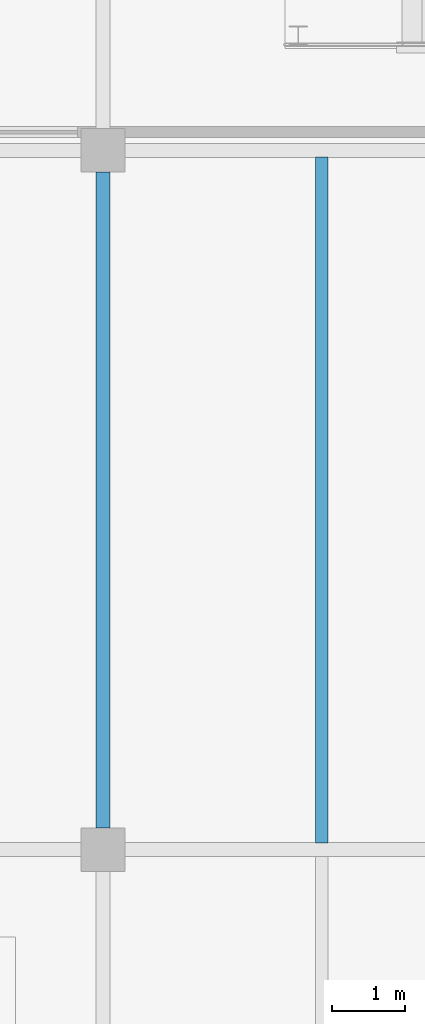
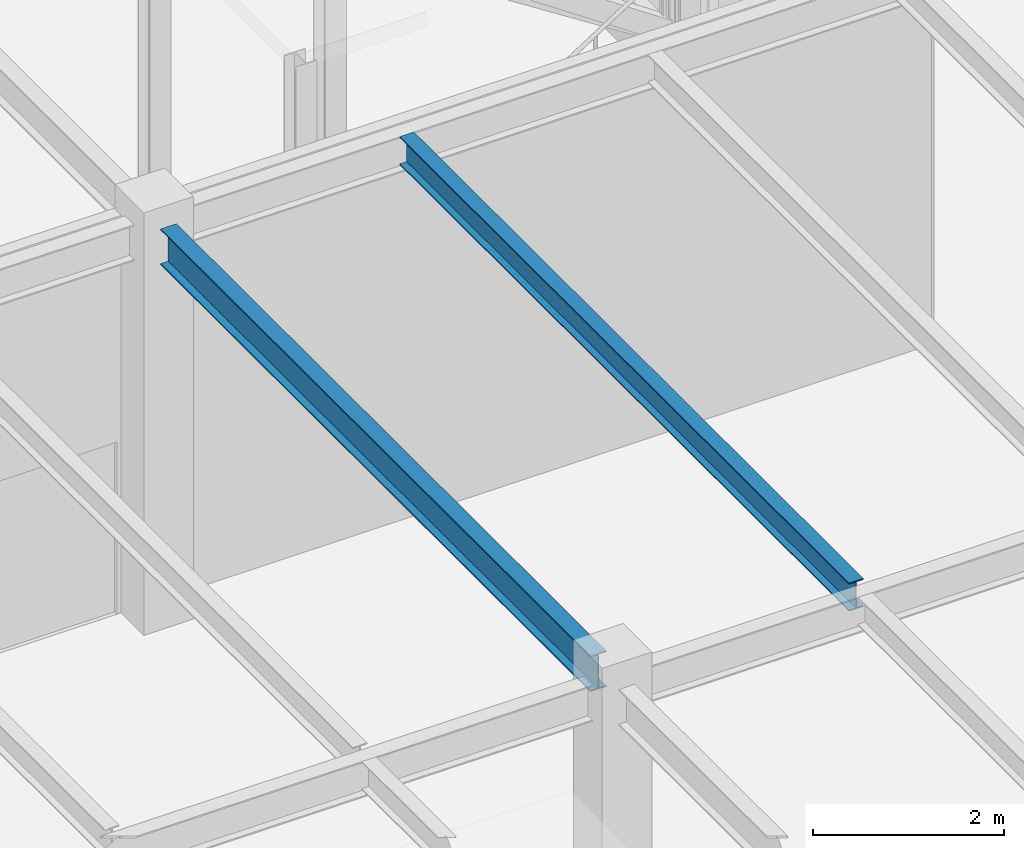
# One storey, part 89 of 188: 2 beams.
"""IFC4 building model written with IfcOpenShell, lengths in metres."""

from ifc_helpers import new_model, si_unit, direction, frame, origin, origin_2d, place, context, subcontext, project, spatial, i_section, extrude, material, material_profile, profile_set, type_object, element, save


model = new_model("IFC4")

# Units and contexts
model_context = context("Model", 3, precision=1e-05, world=origin(), true_north=direction((0.0, 1.0)))
body_context = subcontext(model_context, "Body", "Model", "MODEL_VIEW")
ifc_project = project(units=[si_unit("LENGTHUNIT", "METRE"), si_unit("AREAUNIT", "SQUARE_METRE"), si_unit("VOLUMEUNIT", "CUBIC_METRE"), si_unit("PLANEANGLEUNIT", "RADIAN"), si_unit("MASSUNIT", "GRAM", prefix="KILO")], contexts=[model_context])

# Site, building, storey
site_placement = place(None, origin())
site = spatial("IfcSite", under=ifc_project, at=site_placement, CompositionType="ELEMENT")
building_placement = place(site_placement, origin())
building = spatial("IfcBuilding", under=site, at=building_placement, Name="Pandanus Reach Market Hall", CompositionType="ELEMENT")
storey_placement = place(building_placement, origin())
storey = spatial("IfcBuildingStorey", under=building, at=storey_placement, Name="L00", CompositionType="ELEMENT", Elevation=0.0)

# Beams
ifc_material = material(Name="Steel Grade 350 (350 MPa)", Category="steel")
ifc_material_profile_1 = material_profile(ifc_material, i_section(OverallWidth=0.19091796875, OverallDepth=0.4599609375, WebThickness=0.010009765625, FlangeThickness=0.01611328125, at=origin_2d()), Name="460UB82.1", Category="LoadBearing")
ifc_profile_set_1 = profile_set([ifc_material_profile_1], Name="Steel Grade 350 (350 MPa)")
beam_type_1 = type_object("IfcBeamType", Name="BM-UB460H-I", PredefinedType="BEAM", material=ifc_profile_set_1)
beam_1_placement = place(storey_placement, frame((156.0, 9.89794921875, 4.89453125), z_axis=(0.0, 1.0, 0.0), x_axis=(-1.0, 0.0, 0.0)))
element("IfcBeam", 1, at=beam_1_placement, inside=storey, type_object=beam_type_1, Name="Framing beam BM-UB460H-I L00.199", PredefinedType="BEAM", context=body_context, shape_type="SweptSolid", body=[
    extrude(i_section(OverallWidth=0.19091796875, OverallDepth=0.4599609375, WebThickness=0.010009765625, FlangeThickness=0.01611328125, at=origin_2d()), origin(), (0.0, 0.0, 1.0), 9.004150390625),
])
ifc_material_profile_2 = material_profile(ifc_material, i_section(OverallWidth=0.172119140625, OverallDepth=0.35888671875, WebThickness=0.008056640625, FlangeThickness=0.012939453125, at=origin_2d()), Name="360UB56.7", Category="LoadBearing")
ifc_profile_set_2 = profile_set([ifc_material_profile_2], Name="Steel Grade 350 (350 MPa)")
beam_type_2 = type_object("IfcBeamType", Name="JS-UB360H-I", PredefinedType="JOIST", material=ifc_profile_set_2)
beam_2_placement = place(storey_placement, frame((159.0, 9.693603515625, 4.945068359375), z_axis=(0.0, 1.0, 0.0), x_axis=(-1.0, 0.0, 0.0)))
element("IfcBeam", 2, at=beam_2_placement, inside=storey, type_object=beam_type_2, Name="Secondary joist JS-UB360H-I L00.258", PredefinedType="JOIST", context=body_context, shape_type="SweptSolid", body=[
    extrude(i_section(OverallWidth=0.172119140625, OverallDepth=0.35888671875, WebThickness=0.008056640625, FlangeThickness=0.012939453125, at=origin_2d()), origin(), (0.0, 0.0, 1.0), 9.412841796875),
])

save(model, "model.ifc")
